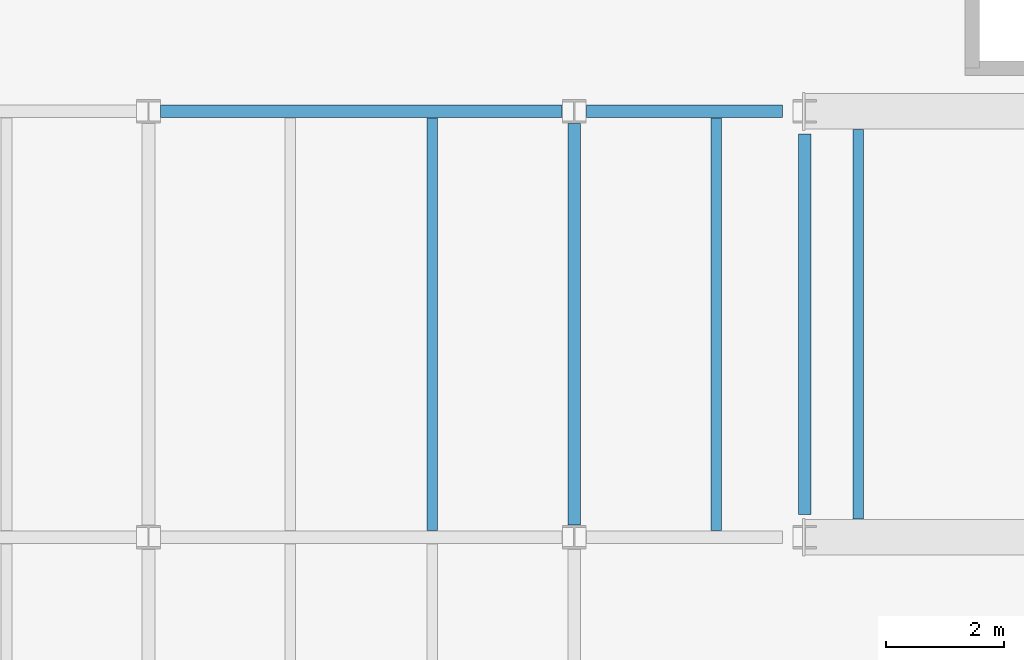
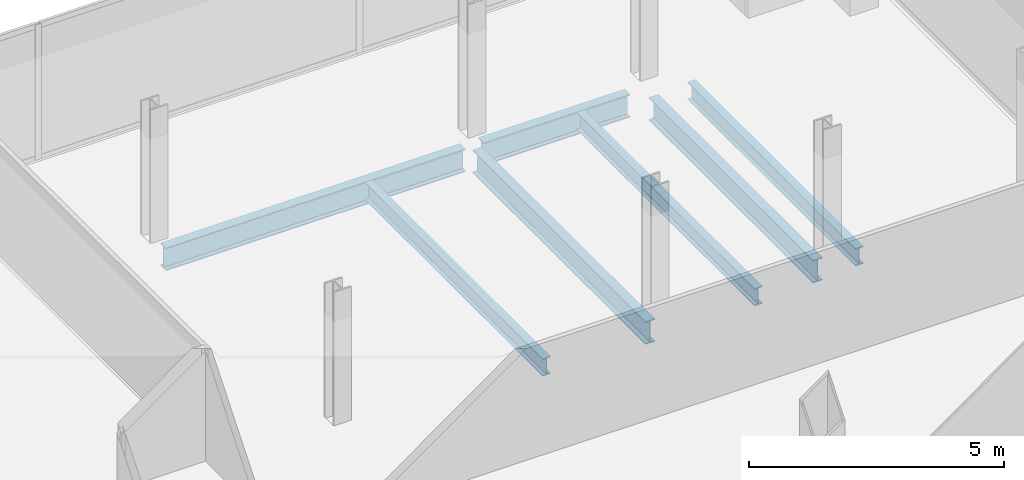
# One storey, part 15 of 24: 7 beams.
"""IFC4 building model written with IfcOpenShell, lengths in metres."""

from ifc_helpers import new_model, si_unit, direction, frame, origin, origin_2d, place, context, subcontext, project, spatial, i_section, extrude, material, material_profile, profile_set, type_object, element, save


model = new_model("IFC4")

# Units and contexts
model_context = context("Model", 3, precision=1e-05, world=origin(), true_north=direction((0.0, 1.0)))
body_context = subcontext(model_context, "Body", "Model", "MODEL_VIEW")
ifc_project = project(units=[si_unit("LENGTHUNIT", "METRE"), si_unit("AREAUNIT", "SQUARE_METRE"), si_unit("VOLUMEUNIT", "CUBIC_METRE"), si_unit("PLANEANGLEUNIT", "RADIAN"), si_unit("MASSUNIT", "GRAM", prefix="KILO")], contexts=[model_context])

# Site, building, storey
site_placement = place(None, origin())
site = spatial("IfcSite", under=ifc_project, at=site_placement, CompositionType="ELEMENT")
building_placement = place(site_placement, origin())
building = spatial("IfcBuilding", under=site, at=building_placement, Name="Cobrela Telecom Tower", CompositionType="ELEMENT")
storey_placement = place(building_placement, frame((0.0, 0.0, 241.14990234375)))
storey = spatial("IfcBuildingStorey", under=building, at=storey_placement, Name="L62", CompositionType="ELEMENT", Elevation=241.14990234375)

# Beams
ifc_material = material(Name="Steel ASTM A992 Grade 50", Category="steel")
ifc_material_profile_1 = material_profile(ifc_material, i_section(OverallWidth=0.212890625, OverallDepth=0.549072265625, WebThickness=0.0146484375, FlangeThickness=0.023681640625, FilletRadius=0.013916015625, at=origin_2d()), Name="W21X93")
ifc_profile_set_1 = profile_set([ifc_material_profile_1], Name="Steel ASTM A992 Grade 50")
beam_type_1 = type_object("IfcBeamType", Name="BM-GIRD-08", PredefinedType="USERDEFINED", material=ifc_profile_set_1)
beam_1_placement = place(storey_placement, frame((29.00439453125, 21.60009765625, -0.534423828125), z_axis=(1.0, 0.0, 0.0), x_axis=(0.0, 1.0, 0.0)))
element("IfcBeam", 1, at=beam_1_placement, inside=storey, type_object=beam_type_1, Name="L62 Primary Girder X11", ObjectType="GIRDER", PredefinedType="USERDEFINED", context=body_context, shape_type="SweptSolid", body=[
    extrude(i_section(OverallWidth=0.212890625, OverallDepth=0.549072265625, WebThickness=0.0146484375, FlangeThickness=0.023681640625, FilletRadius=0.013916015625, at=origin_2d()), origin(), (0.0, 0.0, 1.0), 6.791015625),
])
beam_2_placement = place(storey_placement, frame((36.20458984375, 21.60009765625, -0.534423828125), z_axis=(1.0, 0.0, 0.0), x_axis=(0.0, 1.0, 0.0)))
element("IfcBeam", 2, at=beam_2_placement, inside=storey, type_object=beam_type_1, Name="L62 Primary Girder X12", ObjectType="GIRDER", PredefinedType="USERDEFINED", context=body_context, shape_type="SweptSolid", body=[
    extrude(i_section(OverallWidth=0.212890625, OverallDepth=0.549072265625, WebThickness=0.0146484375, FlangeThickness=0.023681640625, FilletRadius=0.013916015625, at=origin_2d()), origin(), (0.0, 0.0, 1.0), 3.3154296875),
])
beam_3_placement = place(storey_placement, frame((36.0, 14.6044921875, -0.534423828125), z_axis=(0.0, 1.0, 0.0), x_axis=(-1.0, 0.0, 0.0)))
element("IfcBeam", 3, at=beam_3_placement, inside=storey, type_object=beam_type_1, Name="L62 Primary Girder Y30", ObjectType="GIRDER", PredefinedType="USERDEFINED", context=body_context, shape_type="SweptSolid", body=[
    extrude(i_section(OverallWidth=0.212890625, OverallDepth=0.549072265625, WebThickness=0.0146484375, FlangeThickness=0.023681640625, FilletRadius=0.013916015625, at=origin_2d()), origin(), (0.0, 0.0, 1.0), 6.791015625),
])
beam_4_placement = place(storey_placement, frame((39.89990234375, 14.780029296875, -0.534423828125), z_axis=(0.0, 1.0, 0.0), x_axis=(-1.0, 0.0, 0.0)))
element("IfcBeam", 4, at=beam_4_placement, inside=storey, type_object=beam_type_1, Name="L62 Primary Girder Y31", ObjectType="GIRDER", PredefinedType="USERDEFINED", context=body_context, shape_type="SweptSolid", body=[
    extrude(i_section(OverallWidth=0.212890625, OverallDepth=0.549072265625, WebThickness=0.0146484375, FlangeThickness=0.023681640625, FilletRadius=0.013916015625, at=origin_2d()), origin(), (0.0, 0.0, 1.0), 6.43994140625),
])
ifc_material_profile_2 = material_profile(ifc_material, i_section(OverallWidth=0.179931640625, OverallDepth=0.4169921875, WebThickness=0.010986328125, FlangeThickness=0.01806640625, FilletRadius=0.011962890625, at=origin_2d()), Name="W16X57")
ifc_profile_set_2 = profile_set([ifc_material_profile_2], Name="Steel ASTM A992 Grade 50")
beam_type_2 = type_object("IfcBeamType", Name="BM-JOIST-04", PredefinedType="JOIST", material=ifc_profile_set_2)
for number, where, z_axis, x_axis, name in (
    (5, (33.60009765625, 14.511474609375, -0.468505859375), (0.0, 1.0, 0.0), (-1.0, 0.0, 0.0), "L62 Secondary Composite Floor Beam J14"),
    (6, (38.39990234375, 14.511474609375, -0.468505859375), (0.0, 1.0, 0.0), (-1.0, 0.0, 0.0), "L62 Secondary Composite Floor Beam J15"),
):
    element("IfcBeam", number, at=place(storey_placement, frame(where, z_axis=z_axis, x_axis=x_axis)), inside=storey, type_object=beam_type_2, Name=name, PredefinedType="JOIST", context=body_context, shape_type="SweptSolid", body=[
        extrude(i_section(OverallWidth=0.179931640625, OverallDepth=0.4169921875, WebThickness=0.010986328125, FlangeThickness=0.01806640625, FilletRadius=0.011962890625, at=origin_2d()), origin(), (0.0, 0.0, 1.0), 6.97705078125),
    ])
beam_5_placement = place(storey_placement, frame((40.800048828125, 14.705078125, -0.468505859375), z_axis=(0.0, 1.0, 0.0), x_axis=(-1.0, 0.0, 0.0)))
element("IfcBeam", 7, at=beam_5_placement, inside=storey, type_object=beam_type_2, Name="L62 Secondary Composite Floor Beam J16", PredefinedType="JOIST", context=body_context, shape_type="SweptSolid", body=[
    extrude(i_section(OverallWidth=0.179931640625, OverallDepth=0.4169921875, WebThickness=0.010986328125, FlangeThickness=0.01806640625, FilletRadius=0.011962890625, at=origin_2d()), origin(), (0.0, 0.0, 1.0), 6.58984375),
])

save(model, "model.ifc")
